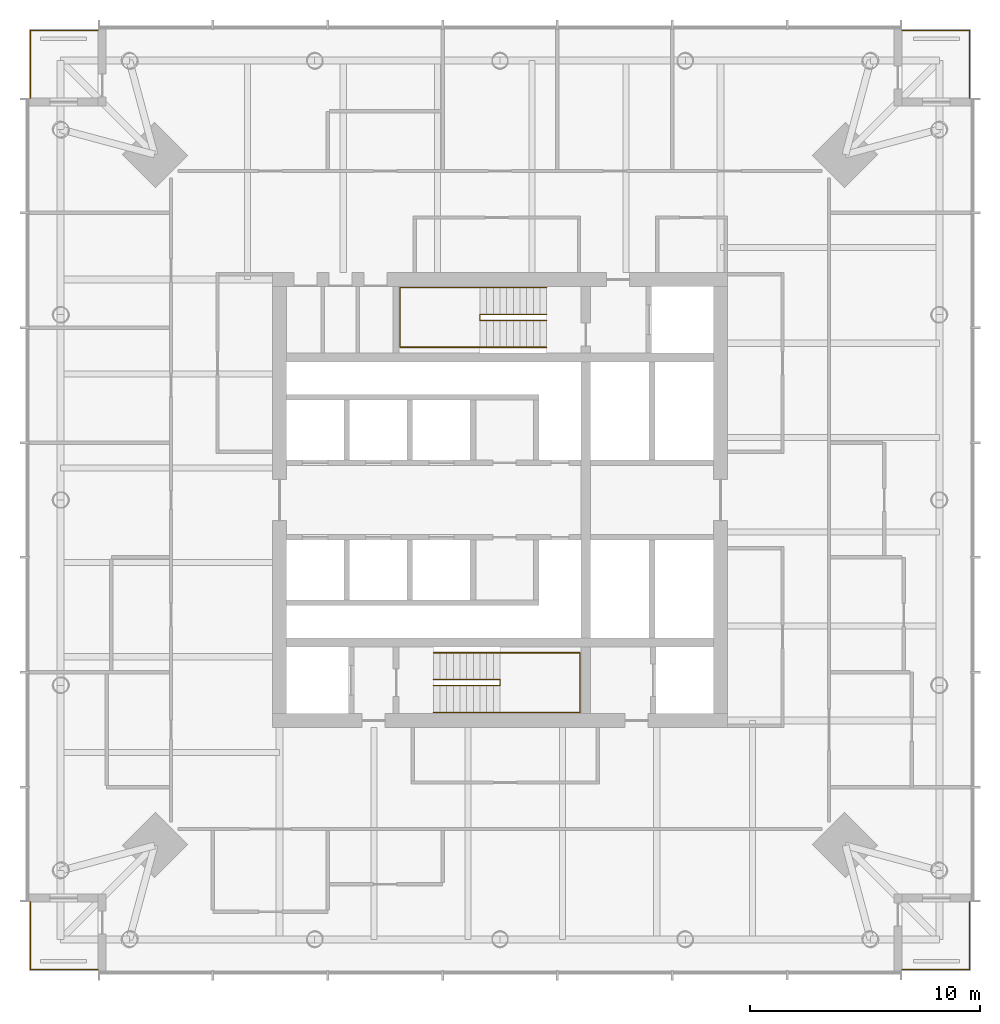
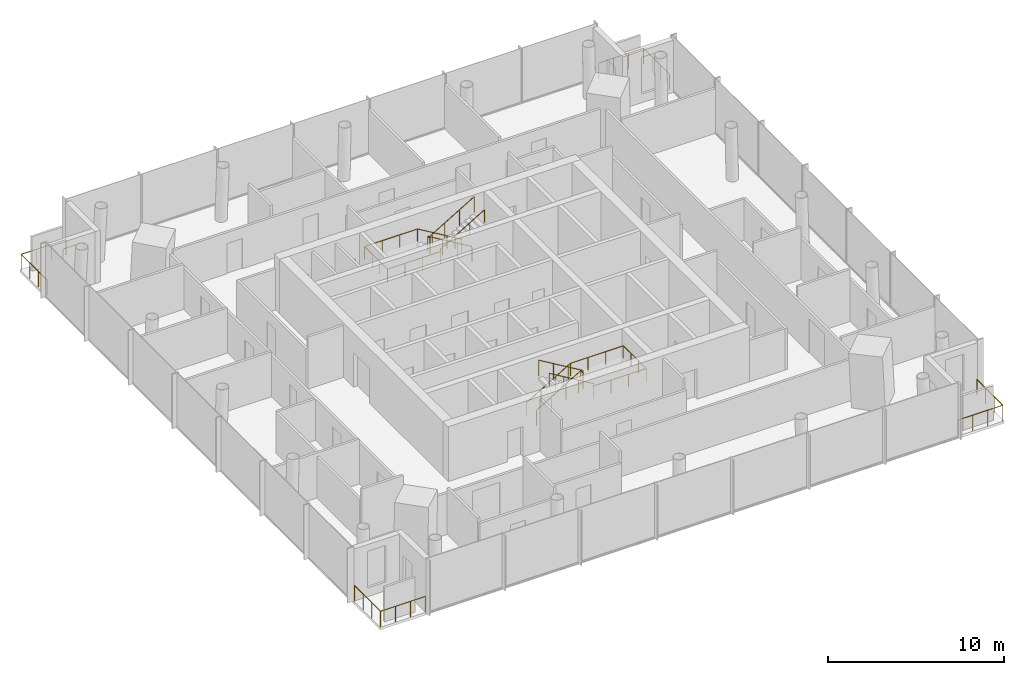
# One storey, part 8 of 8: 8 railings.
"""IFC4 building model written with IfcOpenShell, lengths in metres."""

from ifc_helpers import new_model, si_unit, direction, frame, origin, origin_2d, place, context, subcontext, project, spatial, circle, extrude, material, type_object, element, save


model = new_model("IFC4")

# Units and contexts
model_context = context("Model", 3, precision=1e-05, world=origin(), true_north=direction((0.0, 1.0)))
body_context = subcontext(model_context, "Body", "Model", "MODEL_VIEW")
ifc_project = project(units=[si_unit("LENGTHUNIT", "METRE"), si_unit("AREAUNIT", "SQUARE_METRE"), si_unit("VOLUMEUNIT", "CUBIC_METRE"), si_unit("PLANEANGLEUNIT", "RADIAN"), si_unit("MASSUNIT", "GRAM", prefix="KILO")], contexts=[model_context])

# Site, building, storey
site_placement = place(None, origin())
site = spatial("IfcSite", under=ifc_project, at=site_placement, CompositionType="ELEMENT")
building_placement = place(site_placement, origin())
building = spatial("IfcBuilding", under=site, at=building_placement, Name="Ostroluk Exchange", CompositionType="ELEMENT")
storey_placement = place(building_placement, frame((0.0, 0.0, 173.0)))
storey = spatial("IfcBuildingStorey", under=building, at=storey_placement, Name="L44", CompositionType="ELEMENT", Elevation=173.0)

# Railings
ifc_material_1 = material(Name="Stainless steel", Category="steel")
railing_type_1 = type_object("IfcRailingType", Name="Guard 1100 stainless steel", PredefinedType="GUARDRAIL", material=ifc_material_1)
railing_1_placement = place(storey_placement, frame((62.5, 25.550048828125, 0.0)))
element("IfcRailing", 1, at=railing_1_placement, inside=storey, type_object=railing_type_1, Name="Office tower SE balcony guard L44", PredefinedType="GUARDRAIL", context=body_context, shape_type="SweptSolid", body=[
    extrude(circle(Radius=0.02392578125, at=origin_2d()), frame((0.0, 0.0, 1.076171875), z_axis=(1.0, 0.0, 0.0), x_axis=(0.0, 1.0, 0.0)), (0.0, 0.0, 1.0), 2.949951171875),
    extrude(circle(Radius=0.02392578125, at=origin_2d()), frame((2.949951171875, 0.0, 1.076171875), z_axis=(0.0, 1.0, 0.0), x_axis=(-1.0, 0.0, 0.0)), (0.0, 0.0, 1.0), 2.949951171875),
    extrude(circle(Radius=0.02099609375, at=origin_2d()), origin(), (0.0, 0.0, 1.0), 1.052001953125),
    extrude(circle(Radius=0.02099609375, at=origin_2d()), frame((0.9833984375, 0.0, 0.0)), (0.0, 0.0, 1.0), 1.052001953125),
    extrude(circle(Radius=0.02099609375, at=origin_2d()), frame((1.966552734375, 0.0, 0.0)), (0.0, 0.0, 1.0), 1.052001953125),
    extrude(circle(Radius=0.02099609375, at=origin_2d()), frame((2.949951171875, 0.0, 0.0)), (0.0, 0.0, 1.0), 1.052001953125),
    extrude(circle(Radius=0.02099609375, at=origin_2d()), frame((2.949951171875, 0.9833984375, 0.0)), (0.0, 0.0, 1.0), 1.052001953125),
    extrude(circle(Radius=0.02099609375, at=origin_2d()), frame((2.949951171875, 1.966552734375, 0.0)), (0.0, 0.0, 1.0), 1.052001953125),
    extrude(circle(Radius=0.02099609375, at=origin_2d()), frame((2.949951171875, 2.949951171875, 0.0)), (0.0, 0.0, 1.0), 1.052001953125),
])
railing_2_placement = place(storey_placement, frame((62.5, 66.449951171875, 0.0)))
element("IfcRailing", 2, at=railing_2_placement, inside=storey, type_object=railing_type_1, Name="Office tower NE balcony guard L44", PredefinedType="GUARDRAIL", context=body_context, shape_type="SweptSolid", body=[
    extrude(circle(Radius=0.02392578125, at=origin_2d()), frame((0.0, 0.0, 1.076171875), z_axis=(1.0, 0.0, 0.0), x_axis=(0.0, 1.0, 0.0)), (0.0, 0.0, 1.0), 2.949951171875),
    extrude(circle(Radius=0.02392578125, at=origin_2d()), frame((2.949951171875, 0.0, 1.076171875), z_axis=(0.0, -1.0, 0.0), x_axis=(1.0, 0.0, 0.0)), (0.0, 0.0, 1.0), 2.949951171875),
    extrude(circle(Radius=0.02099609375, at=origin_2d()), origin(), (0.0, 0.0, 1.0), 1.052001953125),
    extrude(circle(Radius=0.02099609375, at=origin_2d()), frame((0.9833984375, 0.0, 0.0)), (0.0, 0.0, 1.0), 1.052001953125),
    extrude(circle(Radius=0.02099609375, at=origin_2d()), frame((1.966552734375, 0.0, 0.0)), (0.0, 0.0, 1.0), 1.052001953125),
    extrude(circle(Radius=0.02099609375, at=origin_2d()), frame((2.949951171875, 0.0, 0.0)), (0.0, 0.0, 1.0), 1.052001953125),
    extrude(circle(Radius=0.02099609375, at=origin_2d()), frame((2.949951171875, -0.9833984375, 0.0)), (0.0, 0.0, 1.0), 1.052001953125),
    extrude(circle(Radius=0.02099609375, at=origin_2d()), frame((2.949951171875, -1.966552734375, 0.0)), (0.0, 0.0, 1.0), 1.052001953125),
    extrude(circle(Radius=0.02099609375, at=origin_2d()), frame((2.949951171875, -2.949951171875, 0.0)), (0.0, 0.0, 1.0), 1.052001953125),
])
railing_3_placement = place(storey_placement, frame((27.5, 66.449951171875, 0.0)))
element("IfcRailing", 3, at=railing_3_placement, inside=storey, type_object=railing_type_1, Name="Office tower NW balcony guard L44", PredefinedType="GUARDRAIL", context=body_context, shape_type="SweptSolid", body=[
    extrude(circle(Radius=0.02392578125, at=origin_2d()), frame((0.0, 0.0, 1.076171875), z_axis=(-1.0, 0.0, 0.0), x_axis=(0.0, -1.0, 0.0)), (0.0, 0.0, 1.0), 2.949951171875),
    extrude(circle(Radius=0.02392578125, at=origin_2d()), frame((-2.949951171875, 0.0, 1.076171875), z_axis=(0.0, -1.0, 0.0), x_axis=(1.0, 0.0, 0.0)), (0.0, 0.0, 1.0), 2.949951171875),
    extrude(circle(Radius=0.02099609375, at=origin_2d()), origin(), (0.0, 0.0, 1.0), 1.052001953125),
    extrude(circle(Radius=0.02099609375, at=origin_2d()), frame((-0.9833984375, 0.0, 0.0)), (0.0, 0.0, 1.0), 1.052001953125),
    extrude(circle(Radius=0.02099609375, at=origin_2d()), frame((-1.966552734375, 0.0, 0.0)), (0.0, 0.0, 1.0), 1.052001953125),
    extrude(circle(Radius=0.02099609375, at=origin_2d()), frame((-2.949951171875, 0.0, 0.0)), (0.0, 0.0, 1.0), 1.052001953125),
    extrude(circle(Radius=0.02099609375, at=origin_2d()), frame((-2.949951171875, -0.9833984375, 0.0)), (0.0, 0.0, 1.0), 1.052001953125),
    extrude(circle(Radius=0.02099609375, at=origin_2d()), frame((-2.949951171875, -1.966552734375, 0.0)), (0.0, 0.0, 1.0), 1.052001953125),
    extrude(circle(Radius=0.02099609375, at=origin_2d()), frame((-2.949951171875, -2.949951171875, 0.0)), (0.0, 0.0, 1.0), 1.052001953125),
])
railing_4_placement = place(storey_placement, frame((27.5, 25.550048828125, 0.0)))
element("IfcRailing", 4, at=railing_4_placement, inside=storey, type_object=railing_type_1, Name="Office tower SW balcony guard L44", PredefinedType="GUARDRAIL", context=body_context, shape_type="SweptSolid", body=[
    extrude(circle(Radius=0.02392578125, at=origin_2d()), frame((0.0, 0.0, 1.076171875), z_axis=(-1.0, 0.0, 0.0), x_axis=(0.0, -1.0, 0.0)), (0.0, 0.0, 1.0), 2.949951171875),
    extrude(circle(Radius=0.02392578125, at=origin_2d()), frame((-2.949951171875, 0.0, 1.076171875), z_axis=(0.0, 1.0, 0.0), x_axis=(-1.0, 0.0, 0.0)), (0.0, 0.0, 1.0), 2.949951171875),
    extrude(circle(Radius=0.02099609375, at=origin_2d()), origin(), (0.0, 0.0, 1.0), 1.052001953125),
    extrude(circle(Radius=0.02099609375, at=origin_2d()), frame((-0.9833984375, 0.0, 0.0)), (0.0, 0.0, 1.0), 1.052001953125),
    extrude(circle(Radius=0.02099609375, at=origin_2d()), frame((-1.966552734375, 0.0, 0.0)), (0.0, 0.0, 1.0), 1.052001953125),
    extrude(circle(Radius=0.02099609375, at=origin_2d()), frame((-2.949951171875, 0.0, 0.0)), (0.0, 0.0, 1.0), 1.052001953125),
    extrude(circle(Radius=0.02099609375, at=origin_2d()), frame((-2.949951171875, 0.9833984375, 0.0)), (0.0, 0.0, 1.0), 1.052001953125),
    extrude(circle(Radius=0.02099609375, at=origin_2d()), frame((-2.949951171875, 1.966552734375, 0.0)), (0.0, 0.0, 1.0), 1.052001953125),
    extrude(circle(Radius=0.02099609375, at=origin_2d()), frame((-2.949951171875, 2.949951171875, 0.0)), (0.0, 0.0, 1.0), 1.052001953125),
])
ifc_material_2 = material(Name="Steel S355", Category="steel")
railing_type_2 = type_object("IfcRailingType", Name="Stair guard 1100", PredefinedType="GUARDRAIL", material=ifc_material_2)
railing_5_placement = place(storey_placement, frame((42.10009765625, 38.179931640625, 0.172607421875)))
element("IfcRailing", 5, at=railing_5_placement, inside=storey, type_object=railing_type_2, Name="Stair T1-S1 guard L44", PredefinedType="GUARDRAIL", context=body_context, shape_type="SweptSolid", body=[
    extrude(circle(Radius=0.02392578125, at=origin_2d()), frame((0.0, 0.0, 1.076171875), z_axis=(0.859141464434, 0.0, 0.511738159696), x_axis=(0.0, 1.0, 0.0)), (0.0, 0.0, 1.0), 3.375244140625),
    extrude(circle(Radius=0.02392578125, at=origin_2d()), frame((2.89990234375, 0.0, 2.80322265625), z_axis=(0.0, -1.0, 0.0), x_axis=(1.0, 0.0, 0.0)), (0.0, 0.0, 1.0), 0.260009765625),
    extrude(circle(Radius=0.02392578125, at=origin_2d()), frame((2.89990234375, -0.260009765625, 2.80322265625), z_axis=(0.0, 0.0, 1.0), x_axis=(1.0, 0.0, 0.0)), (0.0, 0.0, 1.0), 0.1728515625),
    extrude(circle(Radius=0.02392578125, at=origin_2d()), frame((2.89990234375, -0.260009765625, 2.97607421875), z_axis=(-0.859141464434, 0.0, 0.511738159696), x_axis=(0.0, -1.0, 0.0)), (0.0, 0.0, 1.0), 3.375244140625),
    extrude(circle(Radius=0.02099609375, at=origin_2d()), origin(), (0.0, 0.0, 1.0), 1.052001953125),
    extrude(circle(Radius=0.02099609375, at=origin_2d()), frame((0.966552734375, 0.0, 0.57568359375)), (0.0, 0.0, 1.0), 1.052001953125),
    extrude(circle(Radius=0.02099609375, at=origin_2d()), frame((1.933349609375, 0.0, 1.151611328125)), (0.0, 0.0, 1.0), 1.052001953125),
    extrude(circle(Radius=0.02099609375, at=origin_2d()), frame((2.89990234375, 0.0, 1.727294921875)), (0.0, 0.0, 1.0), 1.052001953125),
    extrude(circle(Radius=0.02099609375, at=origin_2d()), frame((2.89990234375, -0.260009765625, 1.727294921875)), (0.0, 0.0, 1.0), 1.052001953125),
    extrude(circle(Radius=0.02099609375, at=origin_2d()), frame((2.89990234375, -0.260009765625, 1.900146484375)), (0.0, 0.0, 1.0), 1.052001953125),
    extrude(circle(Radius=0.02099609375, at=origin_2d()), frame((1.933349609375, -0.260009765625, 2.475830078125)), (0.0, 0.0, 1.0), 1.052001953125),
    extrude(circle(Radius=0.02099609375, at=origin_2d()), frame((0.966552734375, -0.260009765625, 3.0517578125)), (0.0, 0.0, 1.0), 1.052001953125),
    extrude(circle(Radius=0.02099609375, at=origin_2d()), frame((0.0, -0.260009765625, 3.62744140625)), (0.0, 0.0, 1.0), 1.052001953125),
])
railing_6_placement = place(storey_placement, frame((47.030029296875, 54.080078125, 0.172607421875)))
element("IfcRailing", 6, at=railing_6_placement, inside=storey, type_object=railing_type_2, Name="Stair T1-S2 guard L44", PredefinedType="GUARDRAIL", context=body_context, shape_type="SweptSolid", body=[
    extrude(circle(Radius=0.02392578125, at=origin_2d()), frame((0.0, 0.0, 1.076171875), z_axis=(-0.859160404282, 0.0, 0.51170636083), x_axis=(0.0, -1.0, 0.0)), (0.0, 0.0, 1.0), 3.37548828125),
    extrude(circle(Radius=0.02392578125, at=origin_2d()), frame((-2.900146484375, 0.0, 2.80322265625), z_axis=(0.0, -1.0, 0.0), x_axis=(1.0, 0.0, 0.0)), (0.0, 0.0, 1.0), 0.260009765625),
    extrude(circle(Radius=0.02392578125, at=origin_2d()), frame((-2.900146484375, -0.260009765625, 2.80322265625), z_axis=(0.0, 0.0, 1.0), x_axis=(1.0, 0.0, 0.0)), (0.0, 0.0, 1.0), 0.1728515625),
    extrude(circle(Radius=0.02392578125, at=origin_2d()), frame((-2.900146484375, -0.260009765625, 2.97607421875), z_axis=(0.859160404282, 0.0, 0.51170636083), x_axis=(0.0, 1.0, 0.0)), (0.0, 0.0, 1.0), 3.37548828125),
    extrude(circle(Radius=0.02099609375, at=origin_2d()), origin(), (0.0, 0.0, 1.0), 1.052001953125),
    extrude(circle(Radius=0.02099609375, at=origin_2d()), frame((-0.966796875, 0.0, 0.57568359375)), (0.0, 0.0, 1.0), 1.052001953125),
    extrude(circle(Radius=0.02099609375, at=origin_2d()), frame((-1.933349609375, 0.0, 1.151611328125)), (0.0, 0.0, 1.0), 1.052001953125),
    extrude(circle(Radius=0.02099609375, at=origin_2d()), frame((-2.900146484375, 0.0, 1.727294921875)), (0.0, 0.0, 1.0), 1.052001953125),
    extrude(circle(Radius=0.02099609375, at=origin_2d()), frame((-2.900146484375, -0.260009765625, 1.727294921875)), (0.0, 0.0, 1.0), 1.052001953125),
    extrude(circle(Radius=0.02099609375, at=origin_2d()), frame((-2.900146484375, -0.260009765625, 1.900146484375)), (0.0, 0.0, 1.0), 1.052001953125),
    extrude(circle(Radius=0.02099609375, at=origin_2d()), frame((-1.933349609375, -0.260009765625, 2.475830078125)), (0.0, 0.0, 1.0), 1.052001953125),
    extrude(circle(Radius=0.02099609375, at=origin_2d()), frame((-0.966796875, -0.260009765625, 3.0517578125)), (0.0, 0.0, 1.0), 1.052001953125),
    extrude(circle(Radius=0.02099609375, at=origin_2d()), frame((0.0, -0.260009765625, 3.62744140625)), (0.0, 0.0, 1.0), 1.052001953125),
])
ifc_material_3 = material(Name="Stainless steel", Category="steel")
railing_type_3 = type_object("IfcRailingType", Name="Stair handrail 900", PredefinedType="HANDRAIL", material=ifc_material_3)
railing_7_placement = place(storey_placement, frame((42.10009765625, 39.35009765625, 0.172607421875)))
element("IfcRailing", 7, at=railing_7_placement, inside=storey, type_object=railing_type_3, Name="Stair T1-S1 handrail L44", PredefinedType="HANDRAIL", context=body_context, shape_type="SweptSolid", body=[
    extrude(circle(Radius=0.02392578125, at=origin_2d()), frame((0.0, 0.0, 0.8759765625), z_axis=(0.859141464434, 0.0, 0.511738159696), x_axis=(0.0, 1.0, 0.0)), (0.0, 0.0, 1.0), 3.375244140625),
    extrude(circle(Radius=0.02392578125, at=origin_2d()), frame((2.89990234375, 0.0, 2.60302734375), z_axis=(1.0, 0.0, 0.0), x_axis=(0.0, 1.0, 0.0)), (0.0, 0.0, 1.0), 3.47998046875),
    extrude(circle(Radius=0.02392578125, at=origin_2d()), frame((6.3798828125, 0.0, 2.60302734375), z_axis=(0.0, -1.0, 0.0), x_axis=(1.0, 0.0, 0.0)), (0.0, 0.0, 1.0), 2.60009765625),
    extrude(circle(Radius=0.02392578125, at=origin_2d()), frame((6.3798828125, -2.60009765625, 2.60302734375), z_axis=(-1.0, 0.0, 0.0), x_axis=(0.0, -1.0, 0.0)), (0.0, 0.0, 1.0), 3.47998046875),
    extrude(circle(Radius=0.02392578125, at=origin_2d()), frame((2.89990234375, -2.60009765625, 2.60302734375), z_axis=(0.0, 0.0, 1.0), x_axis=(1.0, 0.0, 0.0)), (0.0, 0.0, 1.0), 0.1728515625),
    extrude(circle(Radius=0.02392578125, at=origin_2d()), frame((2.89990234375, -2.60009765625, 2.77587890625), z_axis=(-0.859141464434, 0.0, 0.511738159696), x_axis=(0.0, -1.0, 0.0)), (0.0, 0.0, 1.0), 3.375244140625),
    extrude(circle(Radius=0.02099609375, at=origin_2d()), origin(), (0.0, 0.0, 1.0), 0.851806640625),
    extrude(circle(Radius=0.02099609375, at=origin_2d()), frame((0.966552734375, 0.0, 0.57568359375)), (0.0, 0.0, 1.0), 0.851806640625),
    extrude(circle(Radius=0.02099609375, at=origin_2d()), frame((1.933349609375, 0.0, 1.151611328125)), (0.0, 0.0, 1.0), 0.851806640625),
    extrude(circle(Radius=0.02099609375, at=origin_2d()), frame((2.89990234375, 0.0, 1.727294921875)), (0.0, 0.0, 1.0), 0.851806640625),
    extrude(circle(Radius=0.02099609375, at=origin_2d()), frame((4.059814453125, 0.0, 1.727294921875)), (0.0, 0.0, 1.0), 0.851806640625),
    extrude(circle(Radius=0.02099609375, at=origin_2d()), frame((5.219970703125, 0.0, 1.727294921875)), (0.0, 0.0, 1.0), 0.851806640625),
    extrude(circle(Radius=0.02099609375, at=origin_2d()), frame((6.3798828125, 0.0, 1.727294921875)), (0.0, 0.0, 1.0), 0.851806640625),
    extrude(circle(Radius=0.02099609375, at=origin_2d()), frame((6.3798828125, -0.86669921875, 1.727294921875)), (0.0, 0.0, 1.0), 0.851806640625),
    extrude(circle(Radius=0.02099609375, at=origin_2d()), frame((6.3798828125, -1.7333984375, 1.727294921875)), (0.0, 0.0, 1.0), 0.851806640625),
    extrude(circle(Radius=0.02099609375, at=origin_2d()), frame((6.3798828125, -2.60009765625, 1.727294921875)), (0.0, 0.0, 1.0), 0.851806640625),
    extrude(circle(Radius=0.02099609375, at=origin_2d()), frame((5.219970703125, -2.60009765625, 1.727294921875)), (0.0, 0.0, 1.0), 0.851806640625),
    extrude(circle(Radius=0.02099609375, at=origin_2d()), frame((4.059814453125, -2.60009765625, 1.727294921875)), (0.0, 0.0, 1.0), 0.851806640625),
    extrude(circle(Radius=0.02099609375, at=origin_2d()), frame((2.89990234375, -2.60009765625, 1.727294921875)), (0.0, 0.0, 1.0), 0.851806640625),
    extrude(circle(Radius=0.02099609375, at=origin_2d()), frame((2.89990234375, -2.60009765625, 1.900146484375)), (0.0, 0.0, 1.0), 0.851806640625),
    extrude(circle(Radius=0.02099609375, at=origin_2d()), frame((1.933349609375, -2.60009765625, 2.475830078125)), (0.0, 0.0, 1.0), 0.851806640625),
    extrude(circle(Radius=0.02099609375, at=origin_2d()), frame((0.966552734375, -2.60009765625, 3.0517578125)), (0.0, 0.0, 1.0), 0.851806640625),
    extrude(circle(Radius=0.02099609375, at=origin_2d()), frame((0.0, -2.60009765625, 3.62744140625)), (0.0, 0.0, 1.0), 0.851806640625),
])
railing_8_placement = place(storey_placement, frame((47.030029296875, 55.25, 0.172607421875)))
element("IfcRailing", 8, at=railing_8_placement, inside=storey, type_object=railing_type_3, Name="Stair T1-S2 handrail L44", PredefinedType="HANDRAIL", context=body_context, shape_type="SweptSolid", body=[
    extrude(circle(Radius=0.02392578125, at=origin_2d()), frame((0.0, 0.0, 0.8759765625), z_axis=(-0.859160404282, 0.0, 0.51170636083), x_axis=(0.0, -1.0, 0.0)), (0.0, 0.0, 1.0), 3.37548828125),
    extrude(circle(Radius=0.02392578125, at=origin_2d()), frame((-2.900146484375, 0.0, 2.60302734375), z_axis=(-1.0, 0.0, 0.0), x_axis=(0.0, -1.0, 0.0)), (0.0, 0.0, 1.0), 3.47998046875),
    extrude(circle(Radius=0.02392578125, at=origin_2d()), frame((-6.380126953125, 0.0, 2.60302734375), z_axis=(0.0, -1.0, 0.0), x_axis=(1.0, 0.0, 0.0)), (0.0, 0.0, 1.0), 2.60009765625),
    extrude(circle(Radius=0.02392578125, at=origin_2d()), frame((-6.380126953125, -2.60009765625, 2.60302734375), z_axis=(1.0, 0.0, 0.0), x_axis=(0.0, 1.0, 0.0)), (0.0, 0.0, 1.0), 3.47998046875),
    extrude(circle(Radius=0.02392578125, at=origin_2d()), frame((-2.900146484375, -2.60009765625, 2.60302734375), z_axis=(0.0, 0.0, 1.0), x_axis=(1.0, 0.0, 0.0)), (0.0, 0.0, 1.0), 0.1728515625),
    extrude(circle(Radius=0.02392578125, at=origin_2d()), frame((-2.900146484375, -2.60009765625, 2.77587890625), z_axis=(0.859160404282, 0.0, 0.51170636083), x_axis=(0.0, 1.0, 0.0)), (0.0, 0.0, 1.0), 3.37548828125),
    extrude(circle(Radius=0.02099609375, at=origin_2d()), origin(), (0.0, 0.0, 1.0), 0.851806640625),
    extrude(circle(Radius=0.02099609375, at=origin_2d()), frame((-0.966796875, 0.0, 0.57568359375)), (0.0, 0.0, 1.0), 0.851806640625),
    extrude(circle(Radius=0.02099609375, at=origin_2d()), frame((-1.933349609375, 0.0, 1.151611328125)), (0.0, 0.0, 1.0), 0.851806640625),
    extrude(circle(Radius=0.02099609375, at=origin_2d()), frame((-2.900146484375, 0.0, 1.727294921875)), (0.0, 0.0, 1.0), 0.851806640625),
    extrude(circle(Radius=0.02099609375, at=origin_2d()), frame((-4.06005859375, 0.0, 1.727294921875)), (0.0, 0.0, 1.0), 0.851806640625),
    extrude(circle(Radius=0.02099609375, at=origin_2d()), frame((-5.22021484375, 0.0, 1.727294921875)), (0.0, 0.0, 1.0), 0.851806640625),
    extrude(circle(Radius=0.02099609375, at=origin_2d()), frame((-6.380126953125, 0.0, 1.727294921875)), (0.0, 0.0, 1.0), 0.851806640625),
    extrude(circle(Radius=0.02099609375, at=origin_2d()), frame((-6.380126953125, -0.86669921875, 1.727294921875)), (0.0, 0.0, 1.0), 0.851806640625),
    extrude(circle(Radius=0.02099609375, at=origin_2d()), frame((-6.380126953125, -1.7333984375, 1.727294921875)), (0.0, 0.0, 1.0), 0.851806640625),
    extrude(circle(Radius=0.02099609375, at=origin_2d()), frame((-6.380126953125, -2.60009765625, 1.727294921875)), (0.0, 0.0, 1.0), 0.851806640625),
    extrude(circle(Radius=0.02099609375, at=origin_2d()), frame((-5.22021484375, -2.60009765625, 1.727294921875)), (0.0, 0.0, 1.0), 0.851806640625),
    extrude(circle(Radius=0.02099609375, at=origin_2d()), frame((-4.06005859375, -2.60009765625, 1.727294921875)), (0.0, 0.0, 1.0), 0.851806640625),
    extrude(circle(Radius=0.02099609375, at=origin_2d()), frame((-2.900146484375, -2.60009765625, 1.727294921875)), (0.0, 0.0, 1.0), 0.851806640625),
    extrude(circle(Radius=0.02099609375, at=origin_2d()), frame((-2.900146484375, -2.60009765625, 1.900146484375)), (0.0, 0.0, 1.0), 0.851806640625),
    extrude(circle(Radius=0.02099609375, at=origin_2d()), frame((-1.933349609375, -2.60009765625, 2.475830078125)), (0.0, 0.0, 1.0), 0.851806640625),
    extrude(circle(Radius=0.02099609375, at=origin_2d()), frame((-0.966796875, -2.60009765625, 3.0517578125)), (0.0, 0.0, 1.0), 0.851806640625),
    extrude(circle(Radius=0.02099609375, at=origin_2d()), frame((0.0, -2.60009765625, 3.62744140625)), (0.0, 0.0, 1.0), 0.851806640625),
])

save(model, "model.ifc")
